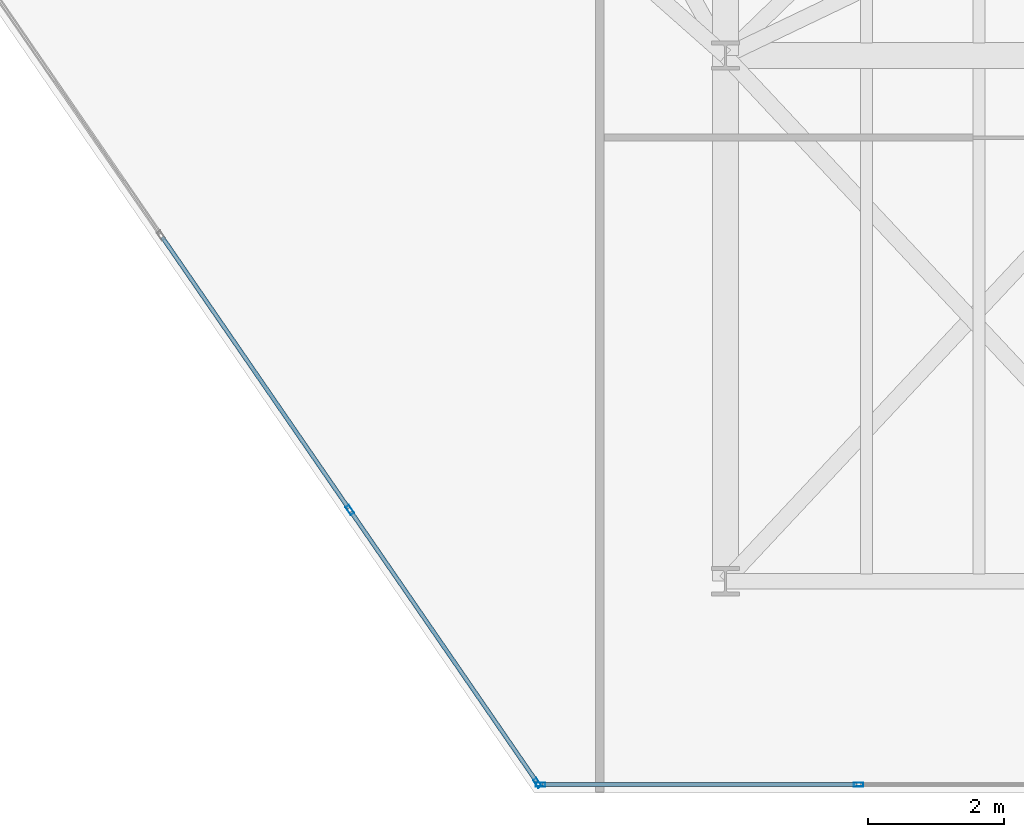
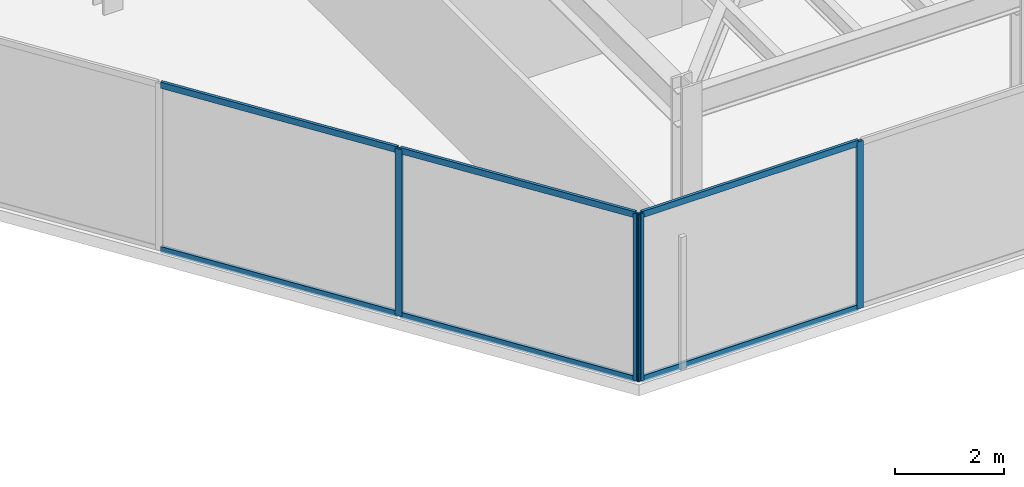
# One storey, part 16 of 27: 10 members, 2 elements without a shape of their own.
"""IFC4 building model written with IfcOpenShell, lengths in metres."""

from ifc_helpers import new_model, si_unit, direction, frame, origin, origin_2d, place, context, subcontext, project, spatial, hollow_rectangle, extrude, material, layer, layer_set, material_profile, profile_set, type_object, element, aggregate, save


model = new_model("IFC4")

# Units and contexts
model_context = context("Model", 3, precision=1e-05, world=origin(), true_north=direction((0.0, 1.0)))
body_context = subcontext(model_context, "Body", "Model", "MODEL_VIEW")
ifc_project = project(units=[si_unit("LENGTHUNIT", "METRE"), si_unit("AREAUNIT", "SQUARE_METRE"), si_unit("VOLUMEUNIT", "CUBIC_METRE"), si_unit("PLANEANGLEUNIT", "RADIAN"), si_unit("MASSUNIT", "GRAM", prefix="KILO")], contexts=[model_context])

# Site, building, storey
site_placement = place(None, origin())
site = spatial("IfcSite", under=ifc_project, at=site_placement, CompositionType="ELEMENT")
building_placement = place(site_placement, origin())
building = spatial("IfcBuilding", under=site, at=building_placement, Name="Kravanh Interchange Tower", CompositionType="ELEMENT")
storey_placement = place(building_placement, frame((0.0, 0.0, 164.5)))
storey = spatial("IfcBuildingStorey", under=building, at=storey_placement, Name="L39", CompositionType="ELEMENT", Elevation=164.5)

# Curtain wall, members
ifc_material_1 = material(Name="Anodised Bronze Aluminium", Category="aluminium")
ifc_layer = layer(ifc_material_1, 0.179931640625)
ifc_layer_set = layer_set([ifc_layer], Name="Unitised Curtain Wall System CW-Z3 Upper Office")
curtain_wall_type = type_object("IfcCurtainWallType", Name="Unitised Curtain Wall System CW-Z3 Upper Office", PredefinedType="NOTDEFINED", material=ifc_layer_set)
curtain_wall_1_placement = place(storey_placement, origin())
curtain_wall_1 = element("IfcCurtainWall", 1, at=curtain_wall_1_placement, inside=storey, type_object=curtain_wall_type, Name="L39 Unitised Curtain Wall CW-L39-03", PredefinedType="NOTDEFINED")
ifc_material_2 = material(Name="Anodised Bronze Aluminium", Category="aluminium")
ifc_material_profile_1 = material_profile(ifc_material_2, hollow_rectangle(XDim=0.06005859375, YDim=0.139892578125, WallThickness=0.00390625, at=origin_2d()), Name="ALU60X140X4")
ifc_profile_set_1 = profile_set([ifc_material_profile_1], Name="Anodised Bronze Aluminium")
member_type_1 = type_object("IfcMemberType", Name="Curtain Wall Mullion ALU60X140X4 Bronze", PredefinedType="MULLION", material=ifc_profile_set_1)
member_1_placement = place(storey_placement, frame((57.9521484375, 11.52001953125, 0.0), z_axis=(0.0, 0.0, 1.0), x_axis=(0.0, -1.0, 0.0)))
member_1 = element("IfcMember", 2, at=member_1_placement, type_object=member_type_1, Name="CW-Z3 mullion 2", PredefinedType="MULLION", context=body_context, shape_type="SweptSolid", body=[
    extrude(hollow_rectangle(XDim=0.06005859375, YDim=0.139892578125, WallThickness=0.00390625, at=origin_2d()), origin(), (0.0, 0.0, 1.0), 3.7548828125),
])
member_2_placement = place(storey_placement, frame((53.293212890625, 11.52001953125, 0.0), z_axis=(0.0, 0.0, 1.0), x_axis=(0.0, -1.0, 0.0)))
member_2 = element("IfcMember", 3, at=member_2_placement, type_object=member_type_1, Name="CW-Z3 mullion 3", PredefinedType="MULLION", context=body_context, shape_type="SweptSolid", body=[
    extrude(hollow_rectangle(XDim=0.06005859375, YDim=0.139892578125, WallThickness=0.00390625, at=origin_2d()), origin(), (0.0, 0.0, 1.0), 3.7548828125),
])

curtain_wall_2_placement = place(storey_placement, origin())
curtain_wall_2 = element("IfcCurtainWall", 4, at=curtain_wall_2_placement, inside=storey, type_object=curtain_wall_type, Name="L39 Unitised Curtain Wall CW-L39-04", PredefinedType="NOTDEFINED")
member_3_placement = place(storey_placement, frame((53.24609375, 11.544677734375, 0.0), z_axis=(0.0, 0.0, 1.0), x_axis=(-0.824042223035, -0.566528388217, 0.0)))
member_3 = element("IfcMember", 5, at=member_3_placement, type_object=member_type_1, Name="CW-Z3 mullion 1", PredefinedType="MULLION", context=body_context, shape_type="SweptSolid", body=[
    extrude(hollow_rectangle(XDim=0.06005859375, YDim=0.139892578125, WallThickness=0.00390625, at=origin_2d()), origin(), (0.0, 0.0, 1.0), 3.7548828125),
])
member_4_placement = place(storey_placement, frame((50.497314453125, 15.54296875, 0.0), z_axis=(0.0, 0.0, 1.0), x_axis=(-0.824042223035, -0.566528388217, 0.0)))
member_4 = element("IfcMember", 6, at=member_4_placement, type_object=member_type_1, Name="CW-Z3 mullion 2", PredefinedType="MULLION", context=body_context, shape_type="SweptSolid", body=[
    extrude(hollow_rectangle(XDim=0.06005859375, YDim=0.139892578125, WallThickness=0.00390625, at=origin_2d()), origin(), (0.0, 0.0, 1.0), 3.7548828125),
])

# Member
ifc_material_3 = material(Name="Anodised Bronze Aluminium", Category="aluminium")
ifc_material_profile_2 = material_profile(ifc_material_3, hollow_rectangle(XDim=0.06005859375, YDim=0.139892578125, WallThickness=0.00390625, at=origin_2d()), Name="ALU60X140X4")
ifc_profile_set_2 = profile_set([ifc_material_profile_2], Name="Anodised Bronze Aluminium")
member_type_2 = type_object("IfcMemberType", Name="Curtain Wall Transom ALU60X140X4 Bronze", PredefinedType="USERDEFINED", material=ifc_profile_set_2)
member_5_placement = place(storey_placement, frame((57.922119140625, 11.52001953125, 0.030029296875), z_axis=(-1.0, 0.0, 0.0), x_axis=(0.0, -1.0, 0.0)))
member_5 = element("IfcMember", 7, at=member_5_placement, type_object=member_type_2, Name="CW-Z3 transom 2.1", ObjectType="TRANSOM", PredefinedType="USERDEFINED", context=body_context, shape_type="SweptSolid", body=[
    extrude(hollow_rectangle(XDim=0.06005859375, YDim=0.139892578125, WallThickness=0.00390625, at=origin_2d()), origin(), (0.0, 0.0, 1.0), 4.59912109375),
])

member_6_placement = place(storey_placement, frame((57.922119140625, 11.52001953125, 3.72509765625), z_axis=(-1.0, 0.0, 0.0), x_axis=(0.0, -1.0, 0.0)))
member_6 = element("IfcMember", 8, at=member_6_placement, type_object=member_type_2, Name="CW-Z3 transom 2.2", ObjectType="TRANSOM", PredefinedType="USERDEFINED", context=body_context, shape_type="SweptSolid", body=[
    extrude(hollow_rectangle(XDim=0.06005859375, YDim=0.139892578125, WallThickness=0.00390625, at=origin_2d()), origin(), (0.0, 0.0, 1.0), 4.59912109375),
])

aggregate(curtain_wall_1, [member_1, member_2, member_5, member_6])

member_7_placement = place(storey_placement, frame((53.22900390625, 11.5693359375, 0.030029296875), z_axis=(-0.566483415384, 0.824073140016, 0.0), x_axis=(-0.824073140016, -0.566483415384, 0.0)))
member_7 = element("IfcMember", 9, at=member_7_placement, type_object=member_type_2, Name="CW-Z3 transom 1.1", ObjectType="TRANSOM", PredefinedType="USERDEFINED", context=body_context, shape_type="SweptSolid", body=[
    extrude(hollow_rectangle(XDim=0.06005859375, YDim=0.139892578125, WallThickness=0.00390625, at=origin_2d()), origin(), (0.0, 0.0, 1.0), 4.7919921875),
])

member_8_placement = place(storey_placement, frame((53.22900390625, 11.5693359375, 3.72509765625), z_axis=(-0.566483415384, 0.824073140016, 0.0), x_axis=(-0.824073140016, -0.566483415384, 0.0)))
member_8 = element("IfcMember", 10, at=member_8_placement, type_object=member_type_2, Name="CW-Z3 transom 1.2", ObjectType="TRANSOM", PredefinedType="USERDEFINED", context=body_context, shape_type="SweptSolid", body=[
    extrude(hollow_rectangle(XDim=0.06005859375, YDim=0.139892578125, WallThickness=0.00390625, at=origin_2d()), origin(), (0.0, 0.0, 1.0), 4.7919921875),
])

member_9_placement = place(storey_placement, frame((50.480224609375, 15.567626953125, 0.030029296875), z_axis=(-0.566503037389, 0.824059651135, 0.0), x_axis=(-0.824059651135, -0.566503037389, 0.0)))
member_9 = element("IfcMember", 11, at=member_9_placement, type_object=member_type_2, Name="CW-Z3 transom 2.1", ObjectType="TRANSOM", PredefinedType="USERDEFINED", context=body_context, shape_type="SweptSolid", body=[
    extrude(hollow_rectangle(XDim=0.06005859375, YDim=0.139892578125, WallThickness=0.00390625, at=origin_2d()), origin(), (0.0, 0.0, 1.0), 4.822021484375),
])

member_10_placement = place(storey_placement, frame((50.480224609375, 15.567626953125, 3.72509765625), z_axis=(-0.566503037389, 0.824059651135, 0.0), x_axis=(-0.824059651135, -0.566503037389, 0.0)))
member_10 = element("IfcMember", 12, at=member_10_placement, type_object=member_type_2, Name="CW-Z3 transom 2.2", ObjectType="TRANSOM", PredefinedType="USERDEFINED", context=body_context, shape_type="SweptSolid", body=[
    extrude(hollow_rectangle(XDim=0.06005859375, YDim=0.139892578125, WallThickness=0.00390625, at=origin_2d()), origin(), (0.0, 0.0, 1.0), 4.822021484375),
])

aggregate(curtain_wall_2, [member_3, member_4, member_7, member_8, member_9, member_10])

save(model, "model.ifc")
